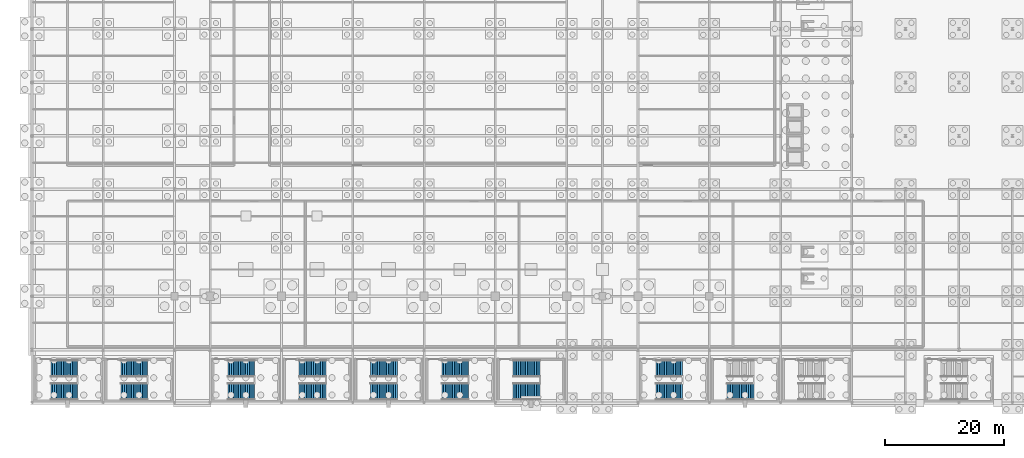
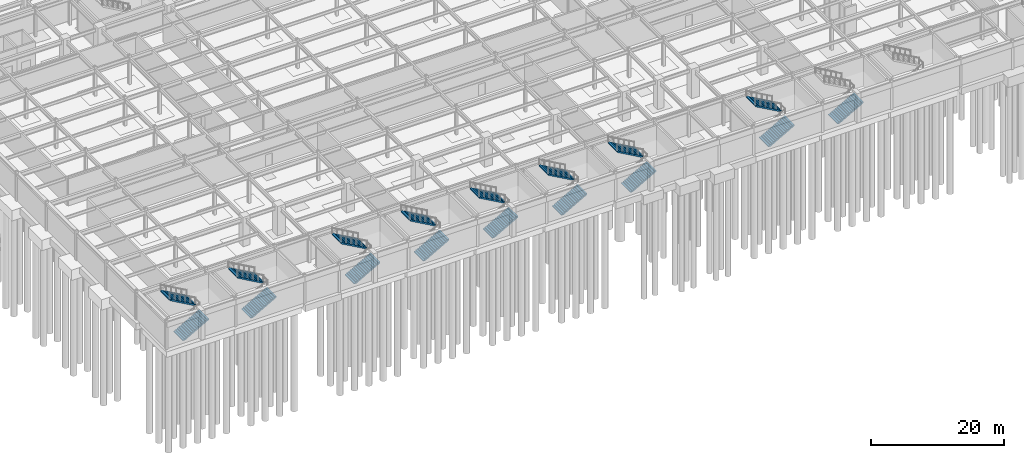
# One storey, part 36 of 47: 17 stair flights, 9 elements without a shape of their own.
"""IFC4 building model written with IfcOpenShell, lengths in metres."""

from ifc_helpers import new_model, si_unit, direction, frame, origin, place, context, subcontext, project, spatial, polyline, outline, extrude, material, type_object, element, aggregate, save


model = new_model("IFC4")

# Units and contexts
model_context = context("Model", 3, precision=1e-05, world=origin(), true_north=direction((0.0, 1.0)))
body_context = subcontext(model_context, "Body", "Model", "MODEL_VIEW")
ifc_project = project(units=[si_unit("LENGTHUNIT", "METRE"), si_unit("AREAUNIT", "SQUARE_METRE"), si_unit("VOLUMEUNIT", "CUBIC_METRE"), si_unit("PLANEANGLEUNIT", "RADIAN"), si_unit("MASSUNIT", "GRAM", prefix="KILO")], contexts=[model_context])

# Site, building, storey
site_placement = place(None, origin())
site = spatial("IfcSite", under=ifc_project, at=site_placement, CompositionType="ELEMENT")
building_placement = place(site_placement, origin())
building = spatial("IfcBuilding", under=site, at=building_placement, Name="Kaldorvane Square Convention Centre", CompositionType="ELEMENT")
storey_placement = place(building_placement, frame((0.0, 0.0, -5.399993896484375)))
storey = spatial("IfcBuildingStorey", under=building, at=storey_placement, Name="B01", CompositionType="ELEMENT", Elevation=-5.399993896484375)

# Stair, stair flights
ifc_material = material(Name="Concrete f'c = 42 MPa (Normalweight)", Category="concrete")
stair_type = type_object("IfcStairType", Name="ST-DL-2800-5400-D6710", PredefinedType="HALF_TURN_STAIR", material=ifc_material)
stair_1_placement = place(storey_placement, origin())
stair_1 = element("IfcStair", 1, at=stair_1_placement, inside=storey, type_object=stair_type, Name="Convention Exit Stair C1 (B01)", PredefinedType="HALF_TURN_STAIR")
stair_flight_type = type_object("IfcStairFlightType", Name="SF-STR-2800-16R", PredefinedType="STRAIGHT", material=ifc_material)
stair_flight_1_placement = place(storey_placement, frame((3.2100067138671875, 1.9499969482421875, 0.0), z_axis=(0.0, 0.0, 1.0), x_axis=(1.0, 0.0, 0.0)))
stair_flight_1 = element("IfcStairFlight", 2, at=stair_flight_1_placement, type_object=stair_flight_type, Name="Convention Exit Stair C1 Flight 1 (B01)", NumberOfRisers=16, NumberOfTreads=15, PredefinedType="STRAIGHT", RiserHeight=0.16875, TreadLength=0.3, context=body_context, shape_type="SweptSolid", body=[
    extrude(outline(polyline([(0.0, 0.0), (0.0, 0.1687469482421875), (0.3000030517578125, 0.1687469482421875), (0.3000030517578125, 0.337493896484375), (0.600006103515625, 0.337493896484375), (0.600006103515625, 0.506256103515625), (0.899993896484375, 0.506256103515625), (0.899993896484375, 0.6750030517578125), (1.1999969482421875, 0.6750030517578125), (1.1999969482421875, 0.84375), (1.5, 0.84375), (1.5, 1.0124969482421875), (1.8000030517578125, 1.0124969482421875), (1.8000030517578125, 1.181243896484375), (2.100006103515625, 1.181243896484375), (2.100006103515625, 1.350006103515625), (2.399993896484375, 1.350006103515625), (2.399993896484375, 1.5187530517578125), (2.6999969482421875, 1.5187530517578125), (2.6999969482421875, 1.6875), (3.0, 1.6875), (3.0, 1.8562469482421875), (3.3000030517578125, 1.8562469482421875), (3.3000030517578125, 2.024993896484375), (3.600006103515625, 2.024993896484375), (3.600006103515625, 2.193756103515625), (3.899993896484375, 2.193756103515625), (3.899993896484375, 2.3625030517578125), (4.1999969482421875, 2.3625030517578125), (4.1999969482421875, 2.53125), (4.5, 2.53125), (4.5, 2.6999969482421875), (4.5, 2.301788330078125), (0.4079437255859375, 0.0), (0.0, 0.0)])), frame((0.0, 1.399993896484375, 0.0), z_axis=(0.0, -1.0, 0.0), x_axis=(1.0, 0.0, 0.0)), (0.0, 0.0, 1.0), 2.8000030517578125),
])
stair_flight_2_placement = place(storey_placement, frame((7.7100067138671875, 5.8600006103515625, 2.6999969482421875), z_axis=(0.0, 0.0, 1.0), x_axis=(-1.0, 0.0, 0.0)))
stair_flight_2 = element("IfcStairFlight", 3, at=stair_flight_2_placement, type_object=stair_flight_type, Name="Convention Exit Stair C1 Flight 2 (B01)", NumberOfRisers=16, NumberOfTreads=15, PredefinedType="STRAIGHT", RiserHeight=0.16875, TreadLength=0.3, context=body_context, shape_type="SweptSolid", body=[
    extrude(outline(polyline([(0.0, 0.0), (0.0, 0.1687469482421875), (0.3000030517578125, 0.1687469482421875), (0.3000030517578125, 0.337493896484375), (0.600006103515625, 0.337493896484375), (0.600006103515625, 0.506256103515625), (0.899993896484375, 0.506256103515625), (0.899993896484375, 0.6750030517578125), (1.1999969482421875, 0.6750030517578125), (1.1999969482421875, 0.84375), (1.5, 0.84375), (1.5, 1.0124969482421875), (1.8000030517578125, 1.0124969482421875), (1.8000030517578125, 1.181243896484375), (2.100006103515625, 1.181243896484375), (2.100006103515625, 1.350006103515625), (2.399993896484375, 1.350006103515625), (2.399993896484375, 1.5187530517578125), (2.6999969482421875, 1.5187530517578125), (2.6999969482421875, 1.6875), (3.0, 1.6875), (3.0, 1.8562469482421875), (3.3000030517578125, 1.8562469482421875), (3.3000030517578125, 2.024993896484375), (3.600006103515625, 2.024993896484375), (3.600006103515625, 2.193756103515625), (3.899993896484375, 2.193756103515625), (3.899993896484375, 2.3625030517578125), (4.1999969482421875, 2.3625030517578125), (4.1999969482421875, 2.53125), (4.5, 2.53125), (4.5, 2.6999969482421875), (4.5, 2.301788330078125), (0.4079437255859375, 0.0), (0.0, 0.0)])), frame((0.0, 1.399993896484375, 0.0), z_axis=(0.0, -1.0, 0.0), x_axis=(1.0, 0.0, 0.0)), (0.0, 0.0, 1.0), 2.8000030517578125),
])
aggregate(stair_1, [stair_flight_1, stair_flight_2])

stair_2_placement = place(storey_placement, origin())
stair_2 = element("IfcStair", 4, at=stair_2_placement, inside=storey, type_object=stair_type, Name="Convention Exit Stair C2 (B01)", PredefinedType="HALF_TURN_STAIR")
stair_flight_3_placement = place(storey_placement, frame((14.990005493164062, 1.9499969482421875, 0.0), z_axis=(0.0, 0.0, 1.0), x_axis=(1.0, 0.0, 0.0)))
stair_flight_3 = element("IfcStairFlight", 5, at=stair_flight_3_placement, type_object=stair_flight_type, Name="Convention Exit Stair C2 Flight 1 (B01)", NumberOfRisers=16, NumberOfTreads=15, PredefinedType="STRAIGHT", RiserHeight=0.16875, TreadLength=0.3, context=body_context, shape_type="SweptSolid", body=[
    extrude(outline(polyline([(0.0, 0.0), (0.0, 0.1687469482421875), (0.3000030517578125, 0.1687469482421875), (0.3000030517578125, 0.337493896484375), (0.600006103515625, 0.337493896484375), (0.600006103515625, 0.506256103515625), (0.899993896484375, 0.506256103515625), (0.899993896484375, 0.6750030517578125), (1.1999969482421875, 0.6750030517578125), (1.1999969482421875, 0.84375), (1.5, 0.84375), (1.5, 1.0124969482421875), (1.8000030517578125, 1.0124969482421875), (1.8000030517578125, 1.181243896484375), (2.100006103515625, 1.181243896484375), (2.100006103515625, 1.350006103515625), (2.399993896484375, 1.350006103515625), (2.399993896484375, 1.5187530517578125), (2.6999969482421875, 1.5187530517578125), (2.6999969482421875, 1.6875), (3.0, 1.6875), (3.0, 1.8562469482421875), (3.3000030517578125, 1.8562469482421875), (3.3000030517578125, 2.024993896484375), (3.600006103515625, 2.024993896484375), (3.600006103515625, 2.193756103515625), (3.899993896484375, 2.193756103515625), (3.899993896484375, 2.3625030517578125), (4.1999969482421875, 2.3625030517578125), (4.1999969482421875, 2.53125), (4.5, 2.53125), (4.5, 2.6999969482421875), (4.5, 2.301788330078125), (0.4079437255859375, 0.0), (0.0, 0.0)])), frame((0.0, 1.399993896484375, 0.0), z_axis=(0.0, -1.0, 0.0), x_axis=(1.0, 0.0, 0.0)), (0.0, 0.0, 1.0), 2.8000030517578125),
])
stair_flight_4_placement = place(storey_placement, frame((19.490005493164062, 5.8600006103515625, 2.6999969482421875), z_axis=(0.0, 0.0, 1.0), x_axis=(-1.0, 0.0, 0.0)))
stair_flight_4 = element("IfcStairFlight", 6, at=stair_flight_4_placement, type_object=stair_flight_type, Name="Convention Exit Stair C2 Flight 2 (B01)", NumberOfRisers=16, NumberOfTreads=15, PredefinedType="STRAIGHT", RiserHeight=0.16875, TreadLength=0.3, context=body_context, shape_type="SweptSolid", body=[
    extrude(outline(polyline([(0.0, 0.0), (0.0, 0.1687469482421875), (0.3000030517578125, 0.1687469482421875), (0.3000030517578125, 0.337493896484375), (0.600006103515625, 0.337493896484375), (0.600006103515625, 0.506256103515625), (0.899993896484375, 0.506256103515625), (0.899993896484375, 0.6750030517578125), (1.1999969482421875, 0.6750030517578125), (1.1999969482421875, 0.84375), (1.5, 0.84375), (1.5, 1.0124969482421875), (1.8000030517578125, 1.0124969482421875), (1.8000030517578125, 1.181243896484375), (2.100006103515625, 1.181243896484375), (2.100006103515625, 1.350006103515625), (2.399993896484375, 1.350006103515625), (2.399993896484375, 1.5187530517578125), (2.6999969482421875, 1.5187530517578125), (2.6999969482421875, 1.6875), (3.0, 1.6875), (3.0, 1.8562469482421875), (3.3000030517578125, 1.8562469482421875), (3.3000030517578125, 2.024993896484375), (3.600006103515625, 2.024993896484375), (3.600006103515625, 2.193756103515625), (3.899993896484375, 2.193756103515625), (3.899993896484375, 2.3625030517578125), (4.1999969482421875, 2.3625030517578125), (4.1999969482421875, 2.53125), (4.5, 2.53125), (4.5, 2.6999969482421875), (4.5, 2.301788330078125), (0.4079437255859375, 0.0), (0.0, 0.0)])), frame((0.0, 1.399993896484375, 0.0), z_axis=(0.0, -1.0, 0.0), x_axis=(1.0, 0.0, 0.0)), (0.0, 0.0, 1.0), 2.8000030517578125),
])
aggregate(stair_2, [stair_flight_3, stair_flight_4])

stair_3_placement = place(storey_placement, origin())
stair_3 = element("IfcStair", 7, at=stair_3_placement, inside=storey, type_object=stair_type, Name="Convention Exit Stair C3 (B01)", PredefinedType="HALF_TURN_STAIR")
stair_flight_5_placement = place(storey_placement, frame((32.99000549316406, 1.9499969482421875, 0.0), z_axis=(0.0, 0.0, 1.0), x_axis=(1.0, 0.0, 0.0)))
stair_flight_5 = element("IfcStairFlight", 8, at=stair_flight_5_placement, type_object=stair_flight_type, Name="Convention Exit Stair C3 Flight 1 (B01)", NumberOfRisers=16, NumberOfTreads=15, PredefinedType="STRAIGHT", RiserHeight=0.16875, TreadLength=0.3, context=body_context, shape_type="SweptSolid", body=[
    extrude(outline(polyline([(0.0, 0.0), (0.0, 0.1687469482421875), (0.3000030517578125, 0.1687469482421875), (0.3000030517578125, 0.337493896484375), (0.600006103515625, 0.337493896484375), (0.600006103515625, 0.506256103515625), (0.899993896484375, 0.506256103515625), (0.899993896484375, 0.6750030517578125), (1.1999969482421875, 0.6750030517578125), (1.1999969482421875, 0.84375), (1.5, 0.84375), (1.5, 1.0124969482421875), (1.8000030517578125, 1.0124969482421875), (1.8000030517578125, 1.181243896484375), (2.100006103515625, 1.181243896484375), (2.100006103515625, 1.350006103515625), (2.399993896484375, 1.350006103515625), (2.399993896484375, 1.5187530517578125), (2.6999969482421875, 1.5187530517578125), (2.6999969482421875, 1.6875), (3.0, 1.6875), (3.0, 1.8562469482421875), (3.3000030517578125, 1.8562469482421875), (3.3000030517578125, 2.024993896484375), (3.600006103515625, 2.024993896484375), (3.600006103515625, 2.193756103515625), (3.899993896484375, 2.193756103515625), (3.899993896484375, 2.3625030517578125), (4.1999969482421875, 2.3625030517578125), (4.1999969482421875, 2.53125), (4.5, 2.53125), (4.5, 2.6999969482421875), (4.5, 2.301788330078125), (0.4079437255859375, 0.0), (0.0, 0.0)])), frame((0.0, 1.399993896484375, 0.0), z_axis=(0.0, -1.0, 0.0), x_axis=(1.0, 0.0, 0.0)), (0.0, 0.0, 1.0), 2.8000030517578125),
])
stair_flight_6_placement = place(storey_placement, frame((37.49000549316406, 5.8600006103515625, 2.6999969482421875), z_axis=(0.0, 0.0, 1.0), x_axis=(-1.0, 0.0, 0.0)))
stair_flight_6 = element("IfcStairFlight", 9, at=stair_flight_6_placement, type_object=stair_flight_type, Name="Convention Exit Stair C3 Flight 2 (B01)", NumberOfRisers=16, NumberOfTreads=15, PredefinedType="STRAIGHT", RiserHeight=0.16875, TreadLength=0.3, context=body_context, shape_type="SweptSolid", body=[
    extrude(outline(polyline([(0.0, 0.0), (0.0, 0.1687469482421875), (0.3000030517578125, 0.1687469482421875), (0.3000030517578125, 0.337493896484375), (0.600006103515625, 0.337493896484375), (0.600006103515625, 0.506256103515625), (0.899993896484375, 0.506256103515625), (0.899993896484375, 0.6750030517578125), (1.1999969482421875, 0.6750030517578125), (1.1999969482421875, 0.84375), (1.5, 0.84375), (1.5, 1.0124969482421875), (1.8000030517578125, 1.0124969482421875), (1.8000030517578125, 1.181243896484375), (2.100006103515625, 1.181243896484375), (2.100006103515625, 1.350006103515625), (2.399993896484375, 1.350006103515625), (2.399993896484375, 1.5187530517578125), (2.6999969482421875, 1.5187530517578125), (2.6999969482421875, 1.6875), (3.0, 1.6875), (3.0, 1.8562469482421875), (3.3000030517578125, 1.8562469482421875), (3.3000030517578125, 2.024993896484375), (3.600006103515625, 2.024993896484375), (3.600006103515625, 2.193756103515625), (3.899993896484375, 2.193756103515625), (3.899993896484375, 2.3625030517578125), (4.1999969482421875, 2.3625030517578125), (4.1999969482421875, 2.53125), (4.5, 2.53125), (4.5, 2.6999969482421875), (4.5, 2.301788330078125), (0.4079437255859375, 0.0), (0.0, 0.0)])), frame((0.0, 1.399993896484375, 0.0), z_axis=(0.0, -1.0, 0.0), x_axis=(1.0, 0.0, 0.0)), (0.0, 0.0, 1.0), 2.8000030517578125),
])
aggregate(stair_3, [stair_flight_5, stair_flight_6])

stair_4_placement = place(storey_placement, origin())
stair_4 = element("IfcStair", 10, at=stair_4_placement, inside=storey, type_object=stair_type, Name="Convention Exit Stair C4 (B01)", PredefinedType="HALF_TURN_STAIR")
stair_flight_7_placement = place(storey_placement, frame((44.99000549316406, 1.9499969482421875, 0.0), z_axis=(0.0, 0.0, 1.0), x_axis=(1.0, 0.0, 0.0)))
stair_flight_7 = element("IfcStairFlight", 11, at=stair_flight_7_placement, type_object=stair_flight_type, Name="Convention Exit Stair C4 Flight 1 (B01)", NumberOfRisers=16, NumberOfTreads=15, PredefinedType="STRAIGHT", RiserHeight=0.16875, TreadLength=0.3, context=body_context, shape_type="SweptSolid", body=[
    extrude(outline(polyline([(0.0, 0.0), (0.0, 0.1687469482421875), (0.3000030517578125, 0.1687469482421875), (0.3000030517578125, 0.337493896484375), (0.600006103515625, 0.337493896484375), (0.600006103515625, 0.506256103515625), (0.899993896484375, 0.506256103515625), (0.899993896484375, 0.6750030517578125), (1.1999969482421875, 0.6750030517578125), (1.1999969482421875, 0.84375), (1.5, 0.84375), (1.5, 1.0124969482421875), (1.8000030517578125, 1.0124969482421875), (1.8000030517578125, 1.181243896484375), (2.100006103515625, 1.181243896484375), (2.100006103515625, 1.350006103515625), (2.399993896484375, 1.350006103515625), (2.399993896484375, 1.5187530517578125), (2.6999969482421875, 1.5187530517578125), (2.6999969482421875, 1.6875), (3.0, 1.6875), (3.0, 1.8562469482421875), (3.3000030517578125, 1.8562469482421875), (3.3000030517578125, 2.024993896484375), (3.600006103515625, 2.024993896484375), (3.600006103515625, 2.193756103515625), (3.899993896484375, 2.193756103515625), (3.899993896484375, 2.3625030517578125), (4.1999969482421875, 2.3625030517578125), (4.1999969482421875, 2.53125), (4.5, 2.53125), (4.5, 2.6999969482421875), (4.5, 2.301788330078125), (0.4079437255859375, 0.0), (0.0, 0.0)])), frame((0.0, 1.399993896484375, 0.0), z_axis=(0.0, -1.0, 0.0), x_axis=(1.0, 0.0, 0.0)), (0.0, 0.0, 1.0), 2.8000030517578125),
])
stair_flight_8_placement = place(storey_placement, frame((49.49000549316406, 5.8600006103515625, 2.6999969482421875), z_axis=(0.0, 0.0, 1.0), x_axis=(-1.0, 0.0, 0.0)))
stair_flight_8 = element("IfcStairFlight", 12, at=stair_flight_8_placement, type_object=stair_flight_type, Name="Convention Exit Stair C4 Flight 2 (B01)", NumberOfRisers=16, NumberOfTreads=15, PredefinedType="STRAIGHT", RiserHeight=0.16875, TreadLength=0.3, context=body_context, shape_type="SweptSolid", body=[
    extrude(outline(polyline([(0.0, 0.0), (0.0, 0.1687469482421875), (0.3000030517578125, 0.1687469482421875), (0.3000030517578125, 0.337493896484375), (0.600006103515625, 0.337493896484375), (0.600006103515625, 0.506256103515625), (0.899993896484375, 0.506256103515625), (0.899993896484375, 0.6750030517578125), (1.1999969482421875, 0.6750030517578125), (1.1999969482421875, 0.84375), (1.5, 0.84375), (1.5, 1.0124969482421875), (1.8000030517578125, 1.0124969482421875), (1.8000030517578125, 1.181243896484375), (2.100006103515625, 1.181243896484375), (2.100006103515625, 1.350006103515625), (2.399993896484375, 1.350006103515625), (2.399993896484375, 1.5187530517578125), (2.6999969482421875, 1.5187530517578125), (2.6999969482421875, 1.6875), (3.0, 1.6875), (3.0, 1.8562469482421875), (3.3000030517578125, 1.8562469482421875), (3.3000030517578125, 2.024993896484375), (3.600006103515625, 2.024993896484375), (3.600006103515625, 2.193756103515625), (3.899993896484375, 2.193756103515625), (3.899993896484375, 2.3625030517578125), (4.1999969482421875, 2.3625030517578125), (4.1999969482421875, 2.53125), (4.5, 2.53125), (4.5, 2.6999969482421875), (4.5, 2.301788330078125), (0.4079437255859375, 0.0), (0.0, 0.0)])), frame((0.0, 1.399993896484375, 0.0), z_axis=(0.0, -1.0, 0.0), x_axis=(1.0, 0.0, 0.0)), (0.0, 0.0, 1.0), 2.8000030517578125),
])
aggregate(stair_4, [stair_flight_7, stair_flight_8])

stair_5_placement = place(storey_placement, origin())
stair_5 = element("IfcStair", 13, at=stair_5_placement, inside=storey, type_object=stair_type, Name="Convention Exit Stair C5 (B01)", PredefinedType="HALF_TURN_STAIR")
stair_flight_9_placement = place(storey_placement, frame((56.99000549316406, 1.9499969482421875, 0.0), z_axis=(0.0, 0.0, 1.0), x_axis=(1.0, 0.0, 0.0)))
stair_flight_9 = element("IfcStairFlight", 14, at=stair_flight_9_placement, type_object=stair_flight_type, Name="Convention Exit Stair C5 Flight 1 (B01)", NumberOfRisers=16, NumberOfTreads=15, PredefinedType="STRAIGHT", RiserHeight=0.16875, TreadLength=0.3, context=body_context, shape_type="SweptSolid", body=[
    extrude(outline(polyline([(0.0, 0.0), (0.0, 0.1687469482421875), (0.3000030517578125, 0.1687469482421875), (0.3000030517578125, 0.337493896484375), (0.600006103515625, 0.337493896484375), (0.600006103515625, 0.506256103515625), (0.899993896484375, 0.506256103515625), (0.899993896484375, 0.6750030517578125), (1.1999969482421875, 0.6750030517578125), (1.1999969482421875, 0.84375), (1.5, 0.84375), (1.5, 1.0124969482421875), (1.8000030517578125, 1.0124969482421875), (1.8000030517578125, 1.181243896484375), (2.100006103515625, 1.181243896484375), (2.100006103515625, 1.350006103515625), (2.399993896484375, 1.350006103515625), (2.399993896484375, 1.5187530517578125), (2.6999969482421875, 1.5187530517578125), (2.6999969482421875, 1.6875), (3.0, 1.6875), (3.0, 1.8562469482421875), (3.3000030517578125, 1.8562469482421875), (3.3000030517578125, 2.024993896484375), (3.600006103515625, 2.024993896484375), (3.600006103515625, 2.193756103515625), (3.899993896484375, 2.193756103515625), (3.899993896484375, 2.3625030517578125), (4.1999969482421875, 2.3625030517578125), (4.1999969482421875, 2.53125), (4.5, 2.53125), (4.5, 2.6999969482421875), (4.5, 2.301788330078125), (0.4079437255859375, 0.0), (0.0, 0.0)])), frame((0.0, 1.399993896484375, 0.0), z_axis=(0.0, -1.0, 0.0), x_axis=(1.0, 0.0, 0.0)), (0.0, 0.0, 1.0), 2.8000030517578125),
])
stair_flight_10_placement = place(storey_placement, frame((61.49000549316406, 5.8600006103515625, 2.6999969482421875), z_axis=(0.0, 0.0, 1.0), x_axis=(-1.0, 0.0, 0.0)))
stair_flight_10 = element("IfcStairFlight", 15, at=stair_flight_10_placement, type_object=stair_flight_type, Name="Convention Exit Stair C5 Flight 2 (B01)", NumberOfRisers=16, NumberOfTreads=15, PredefinedType="STRAIGHT", RiserHeight=0.16875, TreadLength=0.3, context=body_context, shape_type="SweptSolid", body=[
    extrude(outline(polyline([(0.0, 0.0), (0.0, 0.1687469482421875), (0.3000030517578125, 0.1687469482421875), (0.3000030517578125, 0.337493896484375), (0.600006103515625, 0.337493896484375), (0.600006103515625, 0.506256103515625), (0.899993896484375, 0.506256103515625), (0.899993896484375, 0.6750030517578125), (1.1999969482421875, 0.6750030517578125), (1.1999969482421875, 0.84375), (1.5, 0.84375), (1.5, 1.0124969482421875), (1.8000030517578125, 1.0124969482421875), (1.8000030517578125, 1.181243896484375), (2.100006103515625, 1.181243896484375), (2.100006103515625, 1.350006103515625), (2.399993896484375, 1.350006103515625), (2.399993896484375, 1.5187530517578125), (2.6999969482421875, 1.5187530517578125), (2.6999969482421875, 1.6875), (3.0, 1.6875), (3.0, 1.8562469482421875), (3.3000030517578125, 1.8562469482421875), (3.3000030517578125, 2.024993896484375), (3.600006103515625, 2.024993896484375), (3.600006103515625, 2.193756103515625), (3.899993896484375, 2.193756103515625), (3.899993896484375, 2.3625030517578125), (4.1999969482421875, 2.3625030517578125), (4.1999969482421875, 2.53125), (4.5, 2.53125), (4.5, 2.6999969482421875), (4.5, 2.301788330078125), (0.4079437255859375, 0.0), (0.0, 0.0)])), frame((0.0, 1.399993896484375, 0.0), z_axis=(0.0, -1.0, 0.0), x_axis=(1.0, 0.0, 0.0)), (0.0, 0.0, 1.0), 2.8000030517578125),
])
aggregate(stair_5, [stair_flight_9, stair_flight_10])

stair_6_placement = place(storey_placement, origin())
stair_6 = element("IfcStair", 16, at=stair_6_placement, inside=storey, type_object=stair_type, Name="Convention Exit Stair C6 (B01)", PredefinedType="HALF_TURN_STAIR")
stair_flight_11_placement = place(storey_placement, frame((68.99000549316406, 1.9499969482421875, 0.0), z_axis=(0.0, 0.0, 1.0), x_axis=(1.0, 0.0, 0.0)))
stair_flight_11 = element("IfcStairFlight", 17, at=stair_flight_11_placement, type_object=stair_flight_type, Name="Convention Exit Stair C6 Flight 1 (B01)", NumberOfRisers=16, NumberOfTreads=15, PredefinedType="STRAIGHT", RiserHeight=0.16875, TreadLength=0.3, context=body_context, shape_type="SweptSolid", body=[
    extrude(outline(polyline([(0.0, 0.0), (0.0, 0.1687469482421875), (0.3000030517578125, 0.1687469482421875), (0.3000030517578125, 0.337493896484375), (0.600006103515625, 0.337493896484375), (0.600006103515625, 0.506256103515625), (0.899993896484375, 0.506256103515625), (0.899993896484375, 0.6750030517578125), (1.1999969482421875, 0.6750030517578125), (1.1999969482421875, 0.84375), (1.5, 0.84375), (1.5, 1.0124969482421875), (1.8000030517578125, 1.0124969482421875), (1.8000030517578125, 1.181243896484375), (2.100006103515625, 1.181243896484375), (2.100006103515625, 1.350006103515625), (2.399993896484375, 1.350006103515625), (2.399993896484375, 1.5187530517578125), (2.6999969482421875, 1.5187530517578125), (2.6999969482421875, 1.6875), (3.0, 1.6875), (3.0, 1.8562469482421875), (3.3000030517578125, 1.8562469482421875), (3.3000030517578125, 2.024993896484375), (3.600006103515625, 2.024993896484375), (3.600006103515625, 2.193756103515625), (3.899993896484375, 2.193756103515625), (3.899993896484375, 2.3625030517578125), (4.1999969482421875, 2.3625030517578125), (4.1999969482421875, 2.53125), (4.5, 2.53125), (4.5, 2.6999969482421875), (4.5, 2.301788330078125), (0.4079437255859375, 0.0), (0.0, 0.0)])), frame((0.0, 1.399993896484375, 0.0), z_axis=(0.0, -1.0, 0.0), x_axis=(1.0, 0.0, 0.0)), (0.0, 0.0, 1.0), 2.8000030517578125),
])
stair_flight_12_placement = place(storey_placement, frame((73.49000549316406, 5.8600006103515625, 2.6999969482421875), z_axis=(0.0, 0.0, 1.0), x_axis=(-1.0, 0.0, 0.0)))
stair_flight_12 = element("IfcStairFlight", 18, at=stair_flight_12_placement, type_object=stair_flight_type, Name="Convention Exit Stair C6 Flight 2 (B01)", NumberOfRisers=16, NumberOfTreads=15, PredefinedType="STRAIGHT", RiserHeight=0.16875, TreadLength=0.3, context=body_context, shape_type="SweptSolid", body=[
    extrude(outline(polyline([(0.0, 0.0), (0.0, 0.1687469482421875), (0.3000030517578125, 0.1687469482421875), (0.3000030517578125, 0.337493896484375), (0.600006103515625, 0.337493896484375), (0.600006103515625, 0.506256103515625), (0.899993896484375, 0.506256103515625), (0.899993896484375, 0.6750030517578125), (1.1999969482421875, 0.6750030517578125), (1.1999969482421875, 0.84375), (1.5, 0.84375), (1.5, 1.0124969482421875), (1.8000030517578125, 1.0124969482421875), (1.8000030517578125, 1.181243896484375), (2.100006103515625, 1.181243896484375), (2.100006103515625, 1.350006103515625), (2.399993896484375, 1.350006103515625), (2.399993896484375, 1.5187530517578125), (2.6999969482421875, 1.5187530517578125), (2.6999969482421875, 1.6875), (3.0, 1.6875), (3.0, 1.8562469482421875), (3.3000030517578125, 1.8562469482421875), (3.3000030517578125, 2.024993896484375), (3.600006103515625, 2.024993896484375), (3.600006103515625, 2.193756103515625), (3.899993896484375, 2.193756103515625), (3.899993896484375, 2.3625030517578125), (4.1999969482421875, 2.3625030517578125), (4.1999969482421875, 2.53125), (4.5, 2.53125), (4.5, 2.6999969482421875), (4.5, 2.301788330078125), (0.4079437255859375, 0.0), (0.0, 0.0)])), frame((0.0, 1.399993896484375, 0.0), z_axis=(0.0, -1.0, 0.0), x_axis=(1.0, 0.0, 0.0)), (0.0, 0.0, 1.0), 2.8000030517578125),
])
aggregate(stair_6, [stair_flight_11, stair_flight_12])

stair_7_placement = place(storey_placement, origin())
stair_7 = element("IfcStair", 19, at=stair_7_placement, inside=storey, type_object=stair_type, Name="Convention Exit Stair C7 (B01)", PredefinedType="HALF_TURN_STAIR")
stair_flight_13_placement = place(storey_placement, frame((80.99000549316406, 1.9499969482421875, 0.0), z_axis=(0.0, 0.0, 1.0), x_axis=(1.0, 0.0, 0.0)))
stair_flight_13 = element("IfcStairFlight", 20, at=stair_flight_13_placement, type_object=stair_flight_type, Name="Convention Exit Stair C7 Flight 1 (B01)", NumberOfRisers=16, NumberOfTreads=15, PredefinedType="STRAIGHT", RiserHeight=0.16875, TreadLength=0.3, context=body_context, shape_type="SweptSolid", body=[
    extrude(outline(polyline([(0.0, 0.0), (0.0, 0.1687469482421875), (0.3000030517578125, 0.1687469482421875), (0.3000030517578125, 0.337493896484375), (0.600006103515625, 0.337493896484375), (0.600006103515625, 0.506256103515625), (0.899993896484375, 0.506256103515625), (0.899993896484375, 0.6750030517578125), (1.1999969482421875, 0.6750030517578125), (1.1999969482421875, 0.84375), (1.5, 0.84375), (1.5, 1.0124969482421875), (1.8000030517578125, 1.0124969482421875), (1.8000030517578125, 1.181243896484375), (2.100006103515625, 1.181243896484375), (2.100006103515625, 1.350006103515625), (2.399993896484375, 1.350006103515625), (2.399993896484375, 1.5187530517578125), (2.6999969482421875, 1.5187530517578125), (2.6999969482421875, 1.6875), (3.0, 1.6875), (3.0, 1.8562469482421875), (3.3000030517578125, 1.8562469482421875), (3.3000030517578125, 2.024993896484375), (3.600006103515625, 2.024993896484375), (3.600006103515625, 2.193756103515625), (3.899993896484375, 2.193756103515625), (3.899993896484375, 2.3625030517578125), (4.1999969482421875, 2.3625030517578125), (4.1999969482421875, 2.53125), (4.5, 2.53125), (4.5, 2.6999969482421875), (4.5, 2.301788330078125), (0.4079437255859375, 0.0), (0.0, 0.0)])), frame((0.0, 1.399993896484375, 0.0), z_axis=(0.0, -1.0, 0.0), x_axis=(1.0, 0.0, 0.0)), (0.0, 0.0, 1.0), 2.8000030517578125),
])
stair_flight_14_placement = place(storey_placement, frame((85.49000549316406, 5.8600006103515625, 2.6999969482421875), z_axis=(0.0, 0.0, 1.0), x_axis=(-1.0, 0.0, 0.0)))
stair_flight_14 = element("IfcStairFlight", 21, at=stair_flight_14_placement, type_object=stair_flight_type, Name="Convention Exit Stair C7 Flight 2 (B01)", NumberOfRisers=16, NumberOfTreads=15, PredefinedType="STRAIGHT", RiserHeight=0.16875, TreadLength=0.3, context=body_context, shape_type="SweptSolid", body=[
    extrude(outline(polyline([(0.0, 0.0), (0.0, 0.1687469482421875), (0.3000030517578125, 0.1687469482421875), (0.3000030517578125, 0.337493896484375), (0.600006103515625, 0.337493896484375), (0.600006103515625, 0.506256103515625), (0.899993896484375, 0.506256103515625), (0.899993896484375, 0.6750030517578125), (1.1999969482421875, 0.6750030517578125), (1.1999969482421875, 0.84375), (1.5, 0.84375), (1.5, 1.0124969482421875), (1.8000030517578125, 1.0124969482421875), (1.8000030517578125, 1.181243896484375), (2.100006103515625, 1.181243896484375), (2.100006103515625, 1.350006103515625), (2.399993896484375, 1.350006103515625), (2.399993896484375, 1.5187530517578125), (2.6999969482421875, 1.5187530517578125), (2.6999969482421875, 1.6875), (3.0, 1.6875), (3.0, 1.8562469482421875), (3.3000030517578125, 1.8562469482421875), (3.3000030517578125, 2.024993896484375), (3.600006103515625, 2.024993896484375), (3.600006103515625, 2.193756103515625), (3.899993896484375, 2.193756103515625), (3.899993896484375, 2.3625030517578125), (4.1999969482421875, 2.3625030517578125), (4.1999969482421875, 2.53125), (4.5, 2.53125), (4.5, 2.6999969482421875), (4.5, 2.301788330078125), (0.4079437255859375, 0.0), (0.0, 0.0)])), frame((0.0, 1.399993896484375, 0.0), z_axis=(0.0, -1.0, 0.0), x_axis=(1.0, 0.0, 0.0)), (0.0, 0.0, 1.0), 2.8000030517578125),
])
aggregate(stair_7, [stair_flight_13, stair_flight_14])

stair_8_placement = place(storey_placement, origin())
stair_8 = element("IfcStair", 22, at=stair_8_placement, inside=storey, type_object=stair_type, Name="Convention Exit Stair C8 (B01)", PredefinedType="HALF_TURN_STAIR")
stair_flight_15_placement = place(storey_placement, frame((104.99000549316406, 1.9499969482421875, 0.0), z_axis=(0.0, 0.0, 1.0), x_axis=(1.0, 0.0, 0.0)))
stair_flight_15 = element("IfcStairFlight", 23, at=stair_flight_15_placement, type_object=stair_flight_type, Name="Convention Exit Stair C8 Flight 1 (B01)", NumberOfRisers=16, NumberOfTreads=15, PredefinedType="STRAIGHT", RiserHeight=0.16875, TreadLength=0.3, context=body_context, shape_type="SweptSolid", body=[
    extrude(outline(polyline([(0.0, 0.0), (0.0, 0.1687469482421875), (0.3000030517578125, 0.1687469482421875), (0.3000030517578125, 0.337493896484375), (0.600006103515625, 0.337493896484375), (0.600006103515625, 0.506256103515625), (0.899993896484375, 0.506256103515625), (0.899993896484375, 0.6750030517578125), (1.1999969482421875, 0.6750030517578125), (1.1999969482421875, 0.84375), (1.5, 0.84375), (1.5, 1.0124969482421875), (1.8000030517578125, 1.0124969482421875), (1.8000030517578125, 1.181243896484375), (2.100006103515625, 1.181243896484375), (2.100006103515625, 1.350006103515625), (2.399993896484375, 1.350006103515625), (2.399993896484375, 1.5187530517578125), (2.6999969482421875, 1.5187530517578125), (2.6999969482421875, 1.6875), (3.0, 1.6875), (3.0, 1.8562469482421875), (3.3000030517578125, 1.8562469482421875), (3.3000030517578125, 2.024993896484375), (3.600006103515625, 2.024993896484375), (3.600006103515625, 2.193756103515625), (3.899993896484375, 2.193756103515625), (3.899993896484375, 2.3625030517578125), (4.1999969482421875, 2.3625030517578125), (4.1999969482421875, 2.53125), (4.5, 2.53125), (4.5, 2.6999969482421875), (4.5, 2.301788330078125), (0.4079437255859375, 0.0), (0.0, 0.0)])), frame((0.0, 1.399993896484375, 0.0), z_axis=(0.0, -1.0, 0.0), x_axis=(1.0, 0.0, 0.0)), (0.0, 0.0, 1.0), 2.8000030517578125),
])
stair_flight_16_placement = place(storey_placement, frame((109.49000549316406, 5.8600006103515625, 2.6999969482421875), z_axis=(0.0, 0.0, 1.0), x_axis=(-1.0, 0.0, 0.0)))
stair_flight_16 = element("IfcStairFlight", 24, at=stair_flight_16_placement, type_object=stair_flight_type, Name="Convention Exit Stair C8 Flight 2 (B01)", NumberOfRisers=16, NumberOfTreads=15, PredefinedType="STRAIGHT", RiserHeight=0.16875, TreadLength=0.3, context=body_context, shape_type="SweptSolid", body=[
    extrude(outline(polyline([(0.0, 0.0), (0.0, 0.1687469482421875), (0.3000030517578125, 0.1687469482421875), (0.3000030517578125, 0.337493896484375), (0.600006103515625, 0.337493896484375), (0.600006103515625, 0.506256103515625), (0.899993896484375, 0.506256103515625), (0.899993896484375, 0.6750030517578125), (1.1999969482421875, 0.6750030517578125), (1.1999969482421875, 0.84375), (1.5, 0.84375), (1.5, 1.0124969482421875), (1.8000030517578125, 1.0124969482421875), (1.8000030517578125, 1.181243896484375), (2.100006103515625, 1.181243896484375), (2.100006103515625, 1.350006103515625), (2.399993896484375, 1.350006103515625), (2.399993896484375, 1.5187530517578125), (2.6999969482421875, 1.5187530517578125), (2.6999969482421875, 1.6875), (3.0, 1.6875), (3.0, 1.8562469482421875), (3.3000030517578125, 1.8562469482421875), (3.3000030517578125, 2.024993896484375), (3.600006103515625, 2.024993896484375), (3.600006103515625, 2.193756103515625), (3.899993896484375, 2.193756103515625), (3.899993896484375, 2.3625030517578125), (4.1999969482421875, 2.3625030517578125), (4.1999969482421875, 2.53125), (4.5, 2.53125), (4.5, 2.6999969482421875), (4.5, 2.301788330078125), (0.4079437255859375, 0.0), (0.0, 0.0)])), frame((0.0, 1.399993896484375, 0.0), z_axis=(0.0, -1.0, 0.0), x_axis=(1.0, 0.0, 0.0)), (0.0, 0.0, 1.0), 2.8000030517578125),
])
aggregate(stair_8, [stair_flight_15, stair_flight_16])

# Stair, stair flight
stair_9_placement = place(storey_placement, origin())
stair_9 = element("IfcStair", 25, at=stair_9_placement, inside=storey, type_object=stair_type, Name="Convention Exit Stair C9 (B01)", PredefinedType="HALF_TURN_STAIR")
stair_flight_17_placement = place(storey_placement, frame((116.99000549316406, 1.9499969482421875, 0.0), z_axis=(0.0, 0.0, 1.0), x_axis=(1.0, 0.0, 0.0)))
stair_flight_17 = element("IfcStairFlight", 26, at=stair_flight_17_placement, type_object=stair_flight_type, Name="Convention Exit Stair C9 Flight 1 (B01)", NumberOfRisers=16, NumberOfTreads=15, PredefinedType="STRAIGHT", RiserHeight=0.16875, TreadLength=0.3, context=body_context, shape_type="SweptSolid", body=[
    extrude(outline(polyline([(0.0, 0.0), (0.0, 0.1687469482421875), (0.3000030517578125, 0.1687469482421875), (0.3000030517578125, 0.337493896484375), (0.600006103515625, 0.337493896484375), (0.600006103515625, 0.506256103515625), (0.899993896484375, 0.506256103515625), (0.899993896484375, 0.6750030517578125), (1.1999969482421875, 0.6750030517578125), (1.1999969482421875, 0.84375), (1.5, 0.84375), (1.5, 1.0124969482421875), (1.8000030517578125, 1.0124969482421875), (1.8000030517578125, 1.181243896484375), (2.100006103515625, 1.181243896484375), (2.100006103515625, 1.350006103515625), (2.399993896484375, 1.350006103515625), (2.399993896484375, 1.5187530517578125), (2.6999969482421875, 1.5187530517578125), (2.6999969482421875, 1.6875), (3.0, 1.6875), (3.0, 1.8562469482421875), (3.3000030517578125, 1.8562469482421875), (3.3000030517578125, 2.024993896484375), (3.600006103515625, 2.024993896484375), (3.600006103515625, 2.193756103515625), (3.899993896484375, 2.193756103515625), (3.899993896484375, 2.3625030517578125), (4.1999969482421875, 2.3625030517578125), (4.1999969482421875, 2.53125), (4.5, 2.53125), (4.5, 2.6999969482421875), (4.5, 2.301788330078125), (0.4079437255859375, 0.0), (0.0, 0.0)])), frame((0.0, 1.399993896484375, 0.0), z_axis=(0.0, -1.0, 0.0), x_axis=(1.0, 0.0, 0.0)), (0.0, 0.0, 1.0), 2.8000030517578125),
])
aggregate(stair_9, [stair_flight_17])

save(model, "model.ifc")
